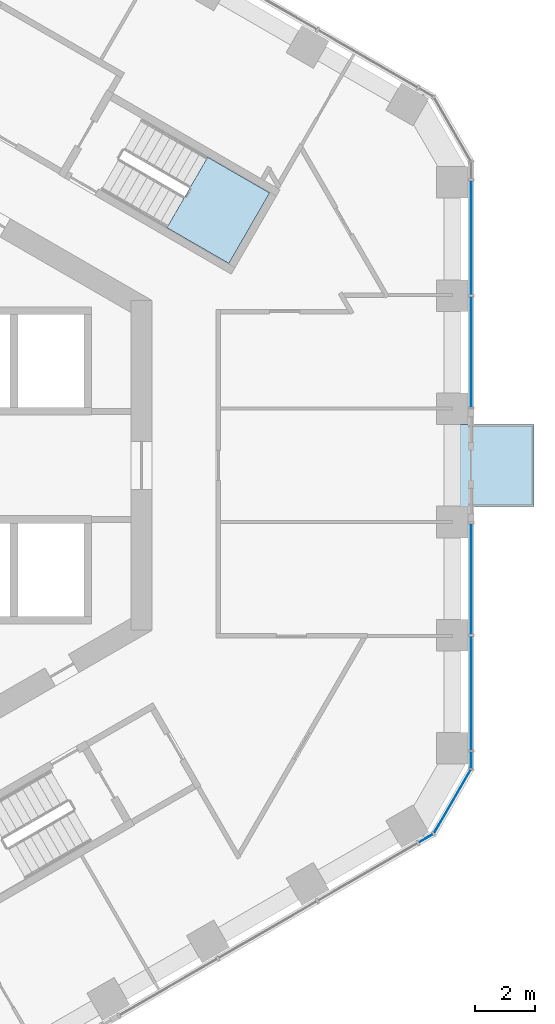
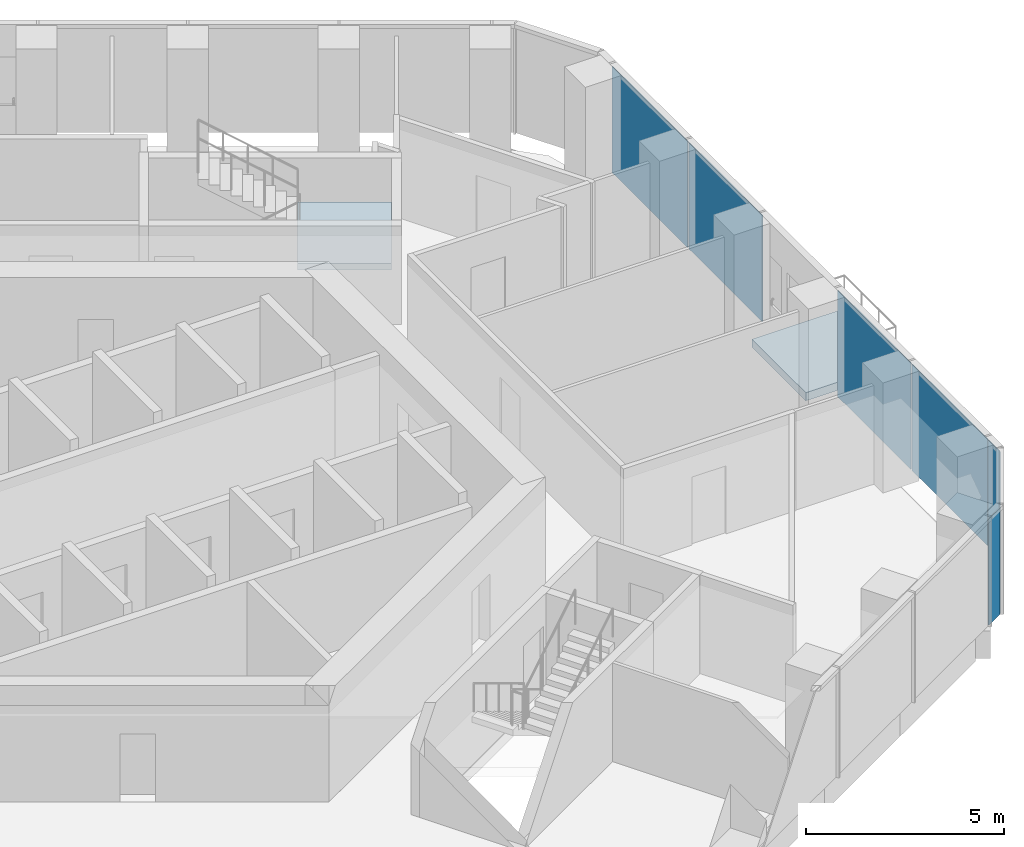
# One storey, part 11 of 20: 7 plates, 2 slabs, 4 elements without a shape of their own.
"""IFC4 building model written with IfcOpenShell, lengths in metres."""

import ifcopenshell
import ifcopenshell.guid

model = None  # the IFC model being written
_history = None  # IfcOwnerHistory: only IFC2X3 demands one
_inside = {}  # id of a spatial element -> (the spatial element, [elements in it])
_under = {}  # id of a project, library or spatial element -> (it, [spatial elements below it])
_declared = {}  # id of a project -> (the project, [libraries it declares])
_typed = {}  # id of a type object -> (the type object, [elements of that type])
_made_of = {}  # id of a material, layer set ... -> (it, [elements and type objects made of it])


def new_model(schema):
    """Start an empty IFC model of exactly this schema.

    Asked for "IFC4X3", IfcOpenShell would pick the latest addendum, in which some entities
    have other attributes; the version numbers below select the first issue.
    IFC2X3 requires an IfcOwnerHistory on every rooted entity: one is made here for all.
    """
    global model, _history
    if schema == "IFC4X3":
        model = ifcopenshell.file(schema_version=(4, 3, 0, 0))
    else:
        model = ifcopenshell.file(schema=schema)
    _inside.clear()
    _under.clear()
    _declared.clear()
    _typed.clear()
    _made_of.clear()
    _history = None
    if model.schema == "IFC2X3":
        org = make("IfcOrganization", Name="unknown")
        user = make(
            "IfcPersonAndOrganization",
            ThePerson=make("IfcPerson", FamilyName="unknown"),
            TheOrganization=org,
        )
        app = make(
            "IfcApplication",
            ApplicationDeveloper=org,
            Version="unknown",
            ApplicationFullName="unknown",
            ApplicationIdentifier="unknown",
        )
        _history = make(
            "IfcOwnerHistory",
            OwningUser=user,
            OwningApplication=app,
            ChangeAction="ADDED",
            CreationDate=0,
        )
    return model


def make(cls, **values):
    """One entity of the class cls with the attributes given. An attribute that is None is left unset."""
    return model.create_entity(
        cls, **{name: value for name, value in values.items() if value is not None}
    )


def rooted(cls, **values):
    """An entity with a GlobalId (a new one), such as an element, a storey or a relation."""
    return make(cls, GlobalId=ifcopenshell.guid.new(), OwnerHistory=_history, **values)


def si_unit(unit_type, name, prefix=None):
    """IfcSIUnit, for example si_unit("LENGTHUNIT", "METRE", prefix="MILLI")."""
    return make("IfcSIUnit", UnitType=unit_type, Prefix=prefix, Name=name)


def assignment(units):
    """IfcUnitAssignment: the units of a project."""
    return None if units is None else make("IfcUnitAssignment", Units=units)


def point(xyz):
    """IfcCartesianPoint."""
    return None if xyz is None else make("IfcCartesianPoint", Coordinates=xyz)


def direction(xyz):
    """IfcDirection."""
    return None if xyz is None else make("IfcDirection", DirectionRatios=xyz)


def frame(location, z_axis=None, x_axis=None):
    """IfcAxis2Placement3D, a coordinate frame: its origin and axes. An axis left out is left unset."""
    return make(
        "IfcAxis2Placement3D",
        Location=point(location),
        Axis=direction(z_axis),
        RefDirection=direction(x_axis),
    )


def frame_2d(location, x_axis=None):
    """IfcAxis2Placement2D, a coordinate frame in the plane: its origin and x axis."""
    return make(
        "IfcAxis2Placement2D", Location=point(location), RefDirection=direction(x_axis)
    )


def origin():
    """The frame at (0, 0, 0) with its axes left unset."""
    return frame((0.0, 0.0, 0.0))


def origin_2d():
    """The frame at (0, 0) in the plane with its x axis left unset."""
    return frame_2d((0.0, 0.0))


def place(relative_to, where):
    """IfcLocalPlacement: puts the frame where relative to a parent placement (None: the world)."""
    return make(
        "IfcLocalPlacement", PlacementRelTo=relative_to, RelativePlacement=where
    )


def context(
    kind, dimensions, precision=None, world=None, true_north=None, identifier=None
):
    """IfcGeometricRepresentationContext, for example the 3D "Model" context."""
    return make(
        "IfcGeometricRepresentationContext",
        ContextIdentifier=identifier,
        ContextType=kind,
        CoordinateSpaceDimension=dimensions,
        Precision=precision,
        WorldCoordinateSystem=world,
        TrueNorth=true_north,
    )


def subcontext(parent, identifier, kind, view, scale=None):
    """IfcGeometricRepresentationSubContext, for example "Body" below "Model"."""
    return make(
        "IfcGeometricRepresentationSubContext",
        ContextIdentifier=identifier,
        ContextType=kind,
        ParentContext=parent,
        TargetScale=scale,
        TargetView=view,
    )


def project(units=None, contexts=None):
    """IfcProject with its units and contexts."""
    return rooted(
        "IfcProject",
        Name="project",
        RepresentationContexts=contexts,
        UnitsInContext=assignment(units),
    )


def spatial(cls, under=None, at=None, **own):
    """A site, building, storey or space (cls), placed at a placement, below another one or the project."""
    s = rooted(cls, ObjectPlacement=at, **own)
    if under is not None:
        _under.setdefault(under.id(), (under, []))[1].append(s)
    return s


def polyline(points):
    """IfcPolyline through the points."""
    return make("IfcPolyline", Points=[point(p) for p in points])


def profile(cls, at=None, kind="AREA", **sizes):
    """A parametric profile (cls). Its sizes go by their IFC names, for example OverallWidth=200.0."""
    return make(cls, ProfileType=kind, Position=at, **sizes)


def rectangle(**sizes):
    """IfcRectangleProfileDef."""
    return profile("IfcRectangleProfileDef", **sizes)


def outline(outer, holes=None, kind="AREA"):
    """IfcArbitraryClosedProfileDef: a profile drawn as a closed curve; with holes, ...WithVoids."""
    if holes is None:
        return make("IfcArbitraryClosedProfileDef", ProfileType=kind, OuterCurve=outer)
    return make(
        "IfcArbitraryProfileDefWithVoids",
        ProfileType=kind,
        OuterCurve=outer,
        InnerCurves=holes,
    )


def extrude(swept, where, along, depth):
    """IfcExtrudedAreaSolid: the profile swept, set in the frame where, extruded along a direction by depth."""
    return make(
        "IfcExtrudedAreaSolid",
        SweptArea=swept,
        Position=where,
        ExtrudedDirection=direction(along),
        Depth=depth,
    )


def shape(context_of_items, identifier, shape_type, items):
    """IfcShapeRepresentation: the items that make up one representation, for example the "Body"."""
    return make(
        "IfcShapeRepresentation",
        ContextOfItems=context_of_items,
        RepresentationIdentifier=identifier,
        RepresentationType=shape_type,
        Items=items,
    )


def material(Name=None, Category=None):
    """IfcMaterial."""
    return make("IfcMaterial", Name=Name, Category=Category)


def layer(
    of_material, thickness, ventilated=None, Name=None, Category=None, Priority=None
):
    """IfcMaterialLayer: one layer of a wall or slab, of a material (None: an air gap)."""
    return make(
        "IfcMaterialLayer",
        Material=of_material,
        LayerThickness=thickness,
        IsVentilated=ventilated,
        Name=Name,
        Category=Category,
        Priority=Priority,
    )


def layer_set(layers, Name=None):
    """IfcMaterialLayerSet."""
    return make("IfcMaterialLayerSet", MaterialLayers=layers, LayerSetName=Name)


def made_of(thing, what):
    """Note that an element or type object is made of a material, layer set ...; save() writes the relation."""
    if what is not None:
        _made_of.setdefault(what.id(), (what, []))[1].append(thing)
    return thing


def type_object(cls, material=None, **own):
    """A type object (cls), such as IfcWallType, which elements share."""
    return made_of(rooted(cls, **own), material)


def element(
    cls,
    number,
    at=None,
    inside=None,
    cuts=None,
    type_object=None,
    material=None,
    context=None,
    identifier="Body",
    shape_type=None,
    held_by="IfcProductDefinitionShape",
    body=None,
    shapes=None,
    **own,
):
    """One element of the class cls, such as IfcWall. Its Tag is "e" and its number.

    at: its placement. inside: the storey or other place that contains it. cuts: it is an
    opening in that element (IfcRelVoidsElement). A single representation is given by context,
    identifier, shape_type and body (its items); several are given by shapes. held_by: the class
    of the entity that holds the representations. save() writes the other relations.
    """
    e = rooted(cls, Tag="e%d" % number, ObjectPlacement=at, **own)
    if body is not None:
        shapes = [shape(context, identifier, shape_type, body)]
    if shapes is not None:
        e.Representation = make(held_by, Representations=shapes)
    if inside is not None:
        _inside.setdefault(inside.id(), (inside, []))[1].append(e)
    if cuts is not None:
        rooted(
            "IfcRelVoidsElement", RelatingBuildingElement=cuts, RelatedOpeningElement=e
        )
    if type_object is not None:
        _typed.setdefault(type_object.id(), (type_object, []))[1].append(e)
    return made_of(e, material)


def aggregate(whole, parts):
    """IfcRelAggregates: a whole, such as a stair, and the parts it consists of."""
    return rooted("IfcRelAggregates", RelatingObject=whole, RelatedObjects=parts)


def save(model, path):
    """Write the relations noted so far, then the file.

    IfcRelAggregates (storeys below a building ...), IfcRelContainedInSpatialStructure (elements
    in a storey), IfcRelDefinesByType, IfcRelAssociatesMaterial and IfcRelDeclares: one each for
    every whole, place, type object, material and project.
    """
    for whole, parts in _under.values():
        aggregate(whole, parts)
    for where, things in _inside.values():
        rooted(
            "IfcRelContainedInSpatialStructure",
            RelatedElements=things,
            RelatingStructure=where,
        )
    for kind, things in _typed.values():
        rooted("IfcRelDefinesByType", RelatedObjects=things, RelatingType=kind)
    for what, things in _made_of.values():
        rooted("IfcRelAssociatesMaterial", RelatedObjects=things, RelatingMaterial=what)
    for by, libraries in _declared.values():
        rooted("IfcRelDeclares", RelatingContext=by, RelatedDefinitions=libraries)
    model.write(path)


model = new_model("IFC4")

# Units and contexts
model_context = context("Model", 3, precision=1e-05, world=origin(), true_north=direction((0.0, 1.0)))
body_context = subcontext(model_context, "Body", "Model", "MODEL_VIEW")
ifc_project = project(units=[si_unit("LENGTHUNIT", "METRE"), si_unit("AREAUNIT", "SQUARE_METRE"), si_unit("VOLUMEUNIT", "CUBIC_METRE"), si_unit("PLANEANGLEUNIT", "RADIAN"), si_unit("MASSUNIT", "GRAM", prefix="KILO")], contexts=[model_context])

# Site, building, storey
site_placement = place(None, origin())
site = spatial("IfcSite", under=ifc_project, at=site_placement, CompositionType="ELEMENT")
building_placement = place(site_placement, origin())
building = spatial("IfcBuilding", under=site, at=building_placement, Name="Ayvan Gate Tower", CompositionType="ELEMENT")
storey_placement = place(building_placement, frame((0.0, 0.0, 86.5)))
storey = spatial("IfcBuildingStorey", under=building, at=storey_placement, Name="L22", CompositionType="ELEMENT", Elevation=86.5)

# Slab
ifc_material_1 = material(Name="Concrete C40/50", Category="concrete")
ifc_layer_1 = layer(ifc_material_1, 0.25)
ifc_layer_set_1 = layer_set([ifc_layer_1], Name="Concrete C40/50")
slab_type_1 = type_object("IfcSlabType", Name="Balcony slab 250", PredefinedType="FLOOR", material=ifc_layer_set_1)
slab_1_placement = place(storey_placement, frame((0.0, 0.0, -0.25)))
element("IfcSlab", 1, at=slab_1_placement, inside=storey, type_object=slab_type_1, Name="Balcony slab BAL-L22-0", PredefinedType="FLOOR", context=body_context, shape_type="SweptSolid", body=[
    extrude(outline(polyline([(19.485595703125, -1.364990234375), (19.485595703125, 1.364990234375), (22.210693359375, 1.364990234375), (22.210693359375, -1.364990234375), (19.485595703125, -1.364990234375)])), origin(), (0.0, 0.0, 1.0), 0.25),
])

# Stair, slab
stair_type = type_object("IfcStairType", Name="ST-EXIT", PredefinedType="HALF_TURN_STAIR", material=ifc_material_1)
stair_placement = place(storey_placement, origin())
stair = element("IfcStair", 2, at=stair_placement, inside=storey, type_object=stair_type, Name="L22 Exit Stair S1", PredefinedType="HALF_TURN_STAIR")
ifc_layer_2 = layer(ifc_material_1, 0.199951171875)
ifc_layer_set_2 = layer_set([ifc_layer_2], Name="Concrete C40/50")
slab_type_2 = type_object("IfcSlabType", Name="SL-LANDING-200", PredefinedType="LANDING", material=ifc_layer_set_2)
slab_2_placement = place(storey_placement, frame((0.0, 0.0, 1.5)))
slab_2 = element("IfcSlab", 3, at=slab_2_placement, type_object=slab_type_2, Name="STS1 landing 1", PredefinedType="LANDING", context=body_context, shape_type="SweptSolid", body=[
    extrude(outline(polyline([(9.988525390625, 7.91064453125), (12.049560546875, 6.720458984375), (13.404541015625, 9.0673828125), (11.343505859375, 10.257568359375), (9.988525390625, 7.91064453125)])), origin(), (0.0, 0.0, 1.0), 0.199951171875),
])
aggregate(stair, [slab_2])

# Curtain wall, plates
ifc_material_2 = material(Name="Bronze anodised aluminium", Category="aluminium")
ifc_layer_3 = layer(ifc_material_2, 0.199951171875)
ifc_layer_set_3 = layer_set([ifc_layer_3], Name="Bronze anodised aluminium")
curtain_wall_type_1 = type_object("IfcCurtainWallType", Name="Stick curtain wall CW-1", PredefinedType="NOTDEFINED", material=ifc_layer_set_3)
curtain_wall_1_placement = place(storey_placement, origin())
curtain_wall_1 = element("IfcCurtainWall", 4, at=curtain_wall_1_placement, inside=storey, type_object=curtain_wall_type_1, Name="Stick curtain wall CW-1 L22", PredefinedType="NOTDEFINED")
ifc_material_3 = material(Name="Clear low-iron laminated glass", Category="glass")
ifc_layer_4 = layer(ifc_material_3, 0.028076171875)
ifc_layer_set_4 = layer_set([ifc_layer_4], Name="Clear low-iron laminated glass")
plate_type_1 = type_object("IfcPlateType", Name="Stick curtain wall CW-1 glass panel", PredefinedType="CURTAIN_PANEL", material=ifc_layer_set_4)
plate_1_placement = place(storey_placement, frame((20.110595703125, -7.590087890625, 0.0), z_axis=(0.0, 0.0, 1.0), x_axis=(0.0, 1.0, 0.0)))
plate_1 = element("IfcPlate", 5, at=plate_1_placement, type_object=plate_type_1, Name="CW-1 glass panel 1", PredefinedType="CURTAIN_PANEL", context=body_context, shape_type="SweptSolid", body=[
    extrude(rectangle(XDim=3.822998046875, YDim=0.028076171875, at=origin_2d()), origin(), (0.0, 0.0, 1.0), 3.280029296875),
])
plate_2_placement = place(storey_placement, frame((20.110595703125, -3.765625, 0.0), z_axis=(0.0, 0.0, 1.0), x_axis=(0.0, 1.0, 0.0)))
plate_2 = element("IfcPlate", 6, at=plate_2_placement, type_object=plate_type_1, Name="CW-1 glass panel 2", PredefinedType="CURTAIN_PANEL", context=body_context, shape_type="SweptSolid", body=[
    extrude(rectangle(XDim=3.7060546875, YDim=0.028076171875, at=origin_2d()), origin(), (0.0, 0.0, 1.0), 3.280029296875),
])
aggregate(curtain_wall_1, [plate_1, plate_2])

curtain_wall_2_placement = place(storey_placement, origin())
curtain_wall_2 = element("IfcCurtainWall", 7, at=curtain_wall_2_placement, inside=storey, type_object=curtain_wall_type_1, Name="Stick curtain wall CW-1 L22", PredefinedType="NOTDEFINED")
plate_3_placement = place(storey_placement, frame((20.110595703125, 3.766357421875, 0.0), z_axis=(0.0, 0.0, 1.0), x_axis=(0.0, 1.0, 0.0)))
plate_3 = element("IfcPlate", 8, at=plate_3_placement, type_object=plate_type_1, Name="CW-1 glass panel 1", PredefinedType="CURTAIN_PANEL", context=body_context, shape_type="SweptSolid", body=[
    extrude(rectangle(XDim=3.7060546875, YDim=0.028076171875, at=origin_2d()), origin(), (0.0, 0.0, 1.0), 3.280029296875),
])
plate_4_placement = place(storey_placement, frame((20.110595703125, 7.590576171875, 0.0), z_axis=(0.0, 0.0, 1.0), x_axis=(0.0, 1.0, 0.0)))
plate_4 = element("IfcPlate", 9, at=plate_4_placement, type_object=plate_type_1, Name="CW-1 glass panel 2", PredefinedType="CURTAIN_PANEL", context=body_context, shape_type="SweptSolid", body=[
    extrude(rectangle(XDim=3.822509765625, YDim=0.028076171875, at=origin_2d()), origin(), (0.0, 0.0, 1.0), 3.280029296875),
])
aggregate(curtain_wall_2, [plate_3, plate_4])

ifc_layer_5 = layer(ifc_material_2, 0.199951171875)
ifc_layer_set_5 = layer_set([ifc_layer_5], Name="Bronze anodised aluminium")
curtain_wall_type_2 = type_object("IfcCurtainWallType", Name="Stick curtain wall CW-6", PredefinedType="NOTDEFINED", material=ifc_layer_set_5)
curtain_wall_3_placement = place(storey_placement, origin())
curtain_wall_3 = element("IfcCurtainWall", 10, at=curtain_wall_3_placement, inside=storey, type_object=curtain_wall_type_2, Name="Stick curtain wall CW-6 L22", PredefinedType="NOTDEFINED")
ifc_layer_6 = layer(ifc_material_3, 0.028076171875)
ifc_layer_set_6 = layer_set([ifc_layer_6], Name="Clear low-iron laminated glass")
plate_type_2 = type_object("IfcPlateType", Name="Stick curtain wall CW-6 glass panel", PredefinedType="CURTAIN_PANEL", material=ifc_layer_set_6)
plate_5_placement = place(storey_placement, frame((18.607421875, -12.41015625, 0.0), z_axis=(0.0, 0.0, 1.0), x_axis=(0.866025403784, 0.5, 0.0)))
plate_5 = element("IfcPlate", 11, at=plate_5_placement, type_object=plate_type_2, Name="CW-6 glass panel 1", PredefinedType="CURTAIN_PANEL", context=body_context, shape_type="SweptSolid", body=[
    extrude(rectangle(XDim=0.550048828125, YDim=0.028076171875, at=origin_2d()), origin(), (0.0, 0.0, 1.0), 3.280029296875),
])
plate_6_placement = place(storey_placement, frame((19.489013671875, -11.183349609375, 0.0), z_axis=(0.0, 0.0, 1.0), x_axis=(0.5, 0.866025403784, 0.0)))
plate_6 = element("IfcPlate", 12, at=plate_6_placement, type_object=plate_type_2, Name="CW-6 glass panel 2", PredefinedType="CURTAIN_PANEL", context=body_context, shape_type="SweptSolid", body=[
    extrude(rectangle(XDim=2.4365234375, YDim=0.028076171875, at=origin_2d()), origin(), (0.0, 0.0, 1.0), 3.280029296875),
])
plate_7_placement = place(storey_placement, frame((20.110595703125, -9.806640625, 0.0), z_axis=(0.0, 0.0, 1.0), x_axis=(0.0, 1.0, 0.0)))
plate_7 = element("IfcPlate", 13, at=plate_7_placement, type_object=plate_type_2, Name="CW-6 glass panel 3", PredefinedType="CURTAIN_PANEL", context=body_context, shape_type="SweptSolid", body=[
    extrude(rectangle(XDim=0.550048828125, YDim=0.028076171875, at=origin_2d()), origin(), (0.0, 0.0, 1.0), 3.280029296875),
])
aggregate(curtain_wall_3, [plate_5, plate_6, plate_7])

save(model, "model.ifc")
